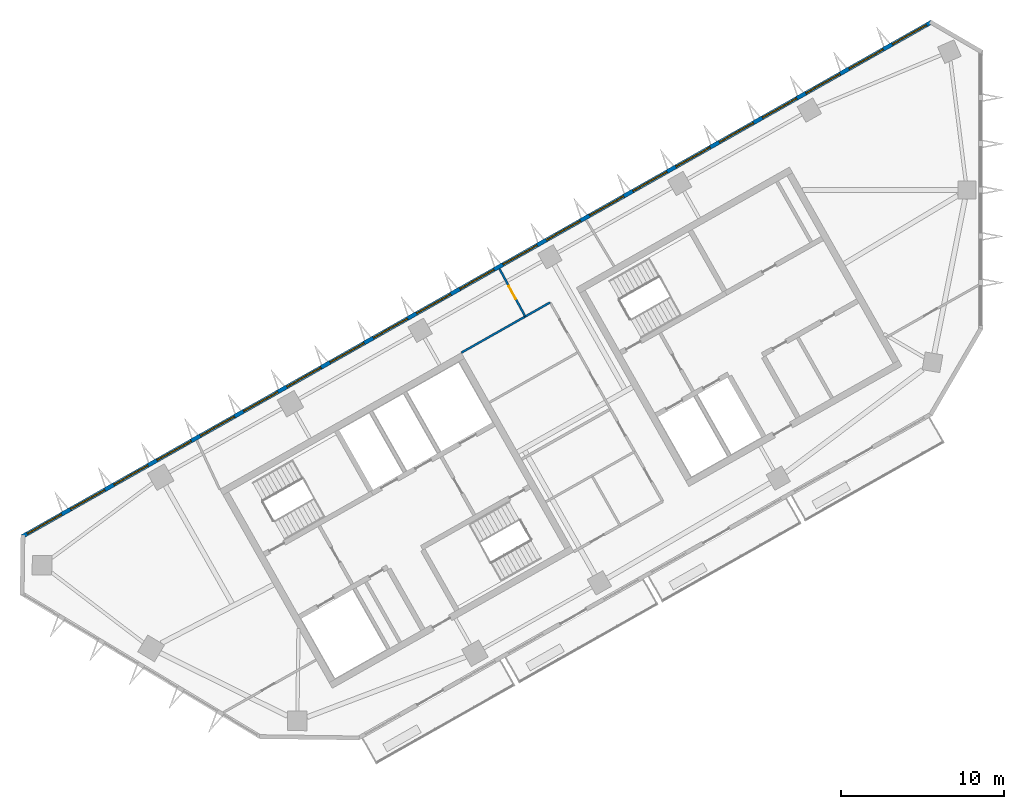
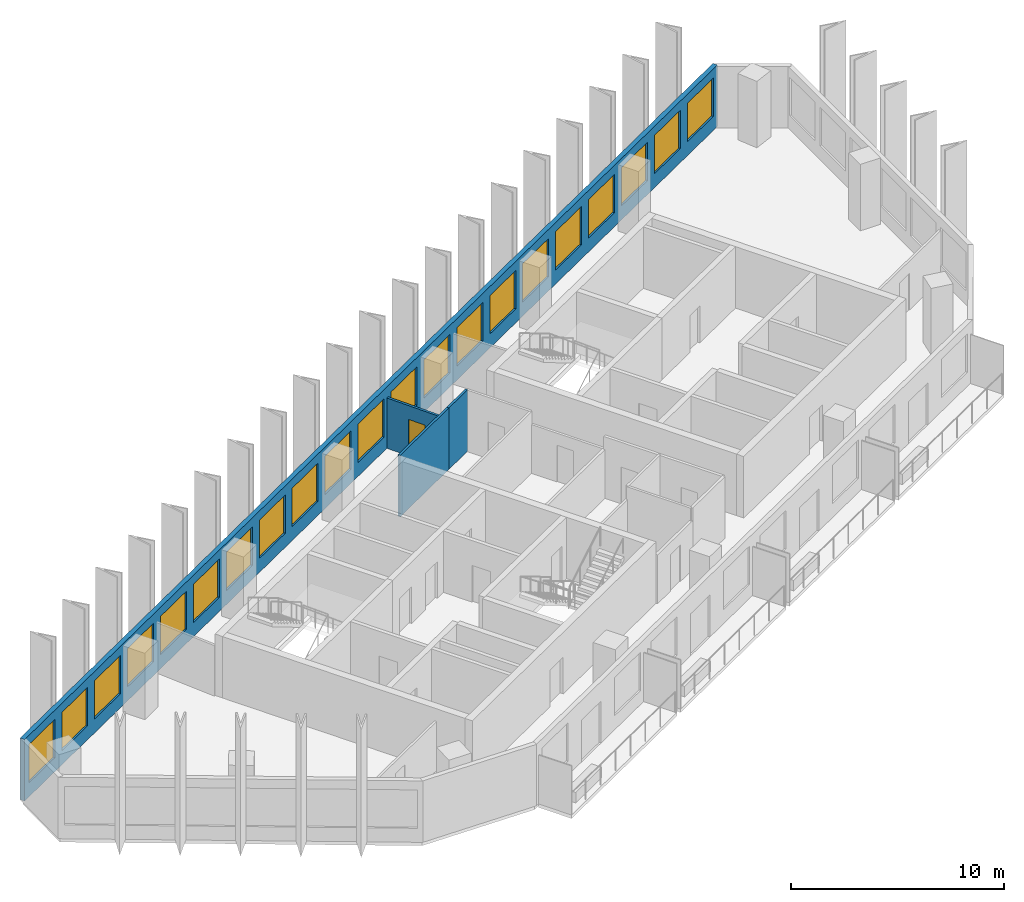
# One storey, part 3 of 8: 21 windows, 4 walls, 1 door, 22 openings.
"""IFC4 building model written with IfcOpenShell, lengths in metres."""

import ifcopenshell
import ifcopenshell.guid

model = None  # the IFC model being written
_history = None  # IfcOwnerHistory: only IFC2X3 demands one
_inside = {}  # id of a spatial element -> (the spatial element, [elements in it])
_under = {}  # id of a project, library or spatial element -> (it, [spatial elements below it])
_declared = {}  # id of a project -> (the project, [libraries it declares])
_typed = {}  # id of a type object -> (the type object, [elements of that type])
_made_of = {}  # id of a material, layer set ... -> (it, [elements and type objects made of it])


def new_model(schema):
    """Start an empty IFC model of exactly this schema.

    Asked for "IFC4X3", IfcOpenShell would pick the latest addendum, in which some entities
    have other attributes; the version numbers below select the first issue.
    IFC2X3 requires an IfcOwnerHistory on every rooted entity: one is made here for all.
    """
    global model, _history
    if schema == "IFC4X3":
        model = ifcopenshell.file(schema_version=(4, 3, 0, 0))
    else:
        model = ifcopenshell.file(schema=schema)
    _inside.clear()
    _under.clear()
    _declared.clear()
    _typed.clear()
    _made_of.clear()
    _history = None
    if model.schema == "IFC2X3":
        org = make("IfcOrganization", Name="unknown")
        user = make(
            "IfcPersonAndOrganization",
            ThePerson=make("IfcPerson", FamilyName="unknown"),
            TheOrganization=org,
        )
        app = make(
            "IfcApplication",
            ApplicationDeveloper=org,
            Version="unknown",
            ApplicationFullName="unknown",
            ApplicationIdentifier="unknown",
        )
        _history = make(
            "IfcOwnerHistory",
            OwningUser=user,
            OwningApplication=app,
            ChangeAction="ADDED",
            CreationDate=0,
        )
    return model


def make(cls, **values):
    """One entity of the class cls with the attributes given. An attribute that is None is left unset."""
    return model.create_entity(
        cls, **{name: value for name, value in values.items() if value is not None}
    )


def rooted(cls, **values):
    """An entity with a GlobalId (a new one), such as an element, a storey or a relation."""
    return make(cls, GlobalId=ifcopenshell.guid.new(), OwnerHistory=_history, **values)


def si_unit(unit_type, name, prefix=None):
    """IfcSIUnit, for example si_unit("LENGTHUNIT", "METRE", prefix="MILLI")."""
    return make("IfcSIUnit", UnitType=unit_type, Prefix=prefix, Name=name)


def assignment(units):
    """IfcUnitAssignment: the units of a project."""
    return None if units is None else make("IfcUnitAssignment", Units=units)


def point(xyz):
    """IfcCartesianPoint."""
    return None if xyz is None else make("IfcCartesianPoint", Coordinates=xyz)


def direction(xyz):
    """IfcDirection."""
    return None if xyz is None else make("IfcDirection", DirectionRatios=xyz)


def frame(location, z_axis=None, x_axis=None):
    """IfcAxis2Placement3D, a coordinate frame: its origin and axes. An axis left out is left unset."""
    return make(
        "IfcAxis2Placement3D",
        Location=point(location),
        Axis=direction(z_axis),
        RefDirection=direction(x_axis),
    )


def frame_2d(location, x_axis=None):
    """IfcAxis2Placement2D, a coordinate frame in the plane: its origin and x axis."""
    return make(
        "IfcAxis2Placement2D", Location=point(location), RefDirection=direction(x_axis)
    )


def origin():
    """The frame at (0, 0, 0) with its axes left unset."""
    return frame((0.0, 0.0, 0.0))


def place(relative_to, where):
    """IfcLocalPlacement: puts the frame where relative to a parent placement (None: the world)."""
    return make(
        "IfcLocalPlacement", PlacementRelTo=relative_to, RelativePlacement=where
    )


def context(
    kind, dimensions, precision=None, world=None, true_north=None, identifier=None
):
    """IfcGeometricRepresentationContext, for example the 3D "Model" context."""
    return make(
        "IfcGeometricRepresentationContext",
        ContextIdentifier=identifier,
        ContextType=kind,
        CoordinateSpaceDimension=dimensions,
        Precision=precision,
        WorldCoordinateSystem=world,
        TrueNorth=true_north,
    )


def subcontext(parent, identifier, kind, view, scale=None):
    """IfcGeometricRepresentationSubContext, for example "Body" below "Model"."""
    return make(
        "IfcGeometricRepresentationSubContext",
        ContextIdentifier=identifier,
        ContextType=kind,
        ParentContext=parent,
        TargetScale=scale,
        TargetView=view,
    )


def project(units=None, contexts=None):
    """IfcProject with its units and contexts."""
    return rooted(
        "IfcProject",
        Name="project",
        RepresentationContexts=contexts,
        UnitsInContext=assignment(units),
    )


def spatial(cls, under=None, at=None, **own):
    """A site, building, storey or space (cls), placed at a placement, below another one or the project."""
    s = rooted(cls, ObjectPlacement=at, **own)
    if under is not None:
        _under.setdefault(under.id(), (under, []))[1].append(s)
    return s


def profile(cls, at=None, kind="AREA", **sizes):
    """A parametric profile (cls). Its sizes go by their IFC names, for example OverallWidth=200.0."""
    return make(cls, ProfileType=kind, Position=at, **sizes)


def rectangle(**sizes):
    """IfcRectangleProfileDef."""
    return profile("IfcRectangleProfileDef", **sizes)


def extrude(swept, where, along, depth):
    """IfcExtrudedAreaSolid: the profile swept, set in the frame where, extruded along a direction by depth."""
    return make(
        "IfcExtrudedAreaSolid",
        SweptArea=swept,
        Position=where,
        ExtrudedDirection=direction(along),
        Depth=depth,
    )


def shape(context_of_items, identifier, shape_type, items):
    """IfcShapeRepresentation: the items that make up one representation, for example the "Body"."""
    return make(
        "IfcShapeRepresentation",
        ContextOfItems=context_of_items,
        RepresentationIdentifier=identifier,
        RepresentationType=shape_type,
        Items=items,
    )


def material(Name=None, Category=None):
    """IfcMaterial."""
    return make("IfcMaterial", Name=Name, Category=Category)


def layer(
    of_material, thickness, ventilated=None, Name=None, Category=None, Priority=None
):
    """IfcMaterialLayer: one layer of a wall or slab, of a material (None: an air gap)."""
    return make(
        "IfcMaterialLayer",
        Material=of_material,
        LayerThickness=thickness,
        IsVentilated=ventilated,
        Name=Name,
        Category=Category,
        Priority=Priority,
    )


def layer_set(layers, Name=None):
    """IfcMaterialLayerSet."""
    return make("IfcMaterialLayerSet", MaterialLayers=layers, LayerSetName=Name)


def made_of(thing, what):
    """Note that an element or type object is made of a material, layer set ...; save() writes the relation."""
    if what is not None:
        _made_of.setdefault(what.id(), (what, []))[1].append(thing)
    return thing


def type_object(cls, material=None, **own):
    """A type object (cls), such as IfcWallType, which elements share."""
    return made_of(rooted(cls, **own), material)


def element(
    cls,
    number,
    at=None,
    inside=None,
    cuts=None,
    type_object=None,
    material=None,
    context=None,
    identifier="Body",
    shape_type=None,
    held_by="IfcProductDefinitionShape",
    body=None,
    shapes=None,
    **own,
):
    """One element of the class cls, such as IfcWall. Its Tag is "e" and its number.

    at: its placement. inside: the storey or other place that contains it. cuts: it is an
    opening in that element (IfcRelVoidsElement). A single representation is given by context,
    identifier, shape_type and body (its items); several are given by shapes. held_by: the class
    of the entity that holds the representations. save() writes the other relations.
    """
    e = rooted(cls, Tag="e%d" % number, ObjectPlacement=at, **own)
    if body is not None:
        shapes = [shape(context, identifier, shape_type, body)]
    if shapes is not None:
        e.Representation = make(held_by, Representations=shapes)
    if inside is not None:
        _inside.setdefault(inside.id(), (inside, []))[1].append(e)
    if cuts is not None:
        rooted(
            "IfcRelVoidsElement", RelatingBuildingElement=cuts, RelatedOpeningElement=e
        )
    if type_object is not None:
        _typed.setdefault(type_object.id(), (type_object, []))[1].append(e)
    return made_of(e, material)


def fill(opening, filler):
    """IfcRelFillsElement: the door or window that sits in an opening."""
    return rooted(
        "IfcRelFillsElement",
        RelatingOpeningElement=opening,
        RelatedBuildingElement=filler,
    )


def aggregate(whole, parts):
    """IfcRelAggregates: a whole, such as a stair, and the parts it consists of."""
    return rooted("IfcRelAggregates", RelatingObject=whole, RelatedObjects=parts)


def save(model, path):
    """Write the relations noted so far, then the file.

    IfcRelAggregates (storeys below a building ...), IfcRelContainedInSpatialStructure (elements
    in a storey), IfcRelDefinesByType, IfcRelAssociatesMaterial and IfcRelDeclares: one each for
    every whole, place, type object, material and project.
    """
    for whole, parts in _under.values():
        aggregate(whole, parts)
    for where, things in _inside.values():
        rooted(
            "IfcRelContainedInSpatialStructure",
            RelatedElements=things,
            RelatingStructure=where,
        )
    for kind, things in _typed.values():
        rooted("IfcRelDefinesByType", RelatedObjects=things, RelatingType=kind)
    for what, things in _made_of.values():
        rooted("IfcRelAssociatesMaterial", RelatedObjects=things, RelatingMaterial=what)
    for by, libraries in _declared.values():
        rooted("IfcRelDeclares", RelatingContext=by, RelatedDefinitions=libraries)
    model.write(path)


model = new_model("IFC4")

# Units and contexts
model_context = context("Model", 3, precision=1e-05, world=origin(), true_north=direction((0.0, 1.0)))
body_context = subcontext(model_context, "Body", "Model", "MODEL_VIEW")
ifc_project = project(units=[si_unit("LENGTHUNIT", "METRE"), si_unit("AREAUNIT", "SQUARE_METRE"), si_unit("VOLUMEUNIT", "CUBIC_METRE"), si_unit("PLANEANGLEUNIT", "RADIAN"), si_unit("MASSUNIT", "GRAM", prefix="KILO")], contexts=[model_context])

# Site, building, storey
site_placement = place(None, origin())
site = spatial("IfcSite", under=ifc_project, at=site_placement, CompositionType="ELEMENT")
building_placement = place(site_placement, origin())
building = spatial("IfcBuilding", under=site, at=building_placement, Name="Binnacle Exchange Tower", CompositionType="ELEMENT")
storey_placement = place(building_placement, frame((0.0, 0.0, 270.300048828125)))
storey = spatial("IfcBuildingStorey", under=building, at=storey_placement, Name="L60", CompositionType="ELEMENT", Elevation=270.300048828125)

# Wall, openings, windows
ifc_material_1 = material(Name="Bronze aluminium cladding", Category="aluminium")
ifc_layer_1 = layer(ifc_material_1, 0.25)
ifc_layer_set_1 = layer_set([ifc_layer_1], Name="External wall - window wall 250")
wall_type_1 = type_object("IfcWallType", Name="External wall - window wall 250", PredefinedType="STANDARD", material=ifc_layer_set_1)
wall_1_placement = place(storey_placement, frame((-58.732177734375, 38.770751953125, 0.0), z_axis=(0.0, 0.0, 1.0), x_axis=(0.870355615581, 0.492423702137, 0.0)))
wall_1 = element("IfcWall", 1, at=wall_1_placement, inside=storey, type_object=wall_type_1, Name="External wall EW-H03 L60", PredefinedType="STANDARD", context=body_context, shape_type="SweptSolid", body=[
    extrude(rectangle(XDim=64.052490234375, YDim=0.25, at=frame_2d((32.0263671875, 0.0))), origin(), (0.0, 0.0, 1.0), 3.52001953125),
])
opening_1_placement = place(wall_1_placement, frame((61.25927734375, 0.0, 0.800048828125)))
opening_1 = element("IfcOpeningElement", 2, at=opening_1_placement, cuts=wall_1, Name="Opening WR2", PredefinedType="OPENING", context=body_context, shape_type="SweptSolid", body=[
    extrude(rectangle(XDim=2.39990234375, YDim=2.199951171875, at=frame_2d((1.199951171875, 1.10009765625))), frame((0.0, 0.135009765625, 0.0), z_axis=(0.0, -1.0, 0.0), x_axis=(1.0, 0.0, 0.0)), (0.0, 0.0, 1.0), 0.27001953125),
])
opening_2_placement = place(wall_1_placement, frame((58.2158203125, 0.0, 0.800048828125)))
opening_2 = element("IfcOpeningElement", 3, at=opening_2_placement, cuts=wall_1, Name="Opening WR2", PredefinedType="OPENING", context=body_context, shape_type="SweptSolid", body=[
    extrude(rectangle(XDim=2.39990234375, YDim=2.199951171875, at=frame_2d((1.199951171875, 1.10009765625))), frame((0.0, 0.135009765625, 0.0), z_axis=(0.0, -1.0, 0.0), x_axis=(1.0, 0.0, 0.0)), (0.0, 0.0, 1.0), 0.27001953125),
])
opening_3_placement = place(wall_1_placement, frame((55.172607421875, 0.0, 0.800048828125)))
opening_3 = element("IfcOpeningElement", 4, at=opening_3_placement, cuts=wall_1, Name="Opening WR2", PredefinedType="OPENING", context=body_context, shape_type="SweptSolid", body=[
    extrude(rectangle(XDim=2.39990234375, YDim=2.199951171875, at=frame_2d((1.199951171875, 1.10009765625))), frame((0.0, 0.135009765625, 0.0), z_axis=(0.0, -1.0, 0.0), x_axis=(1.0, 0.0, 0.0)), (0.0, 0.0, 1.0), 0.27001953125),
])
opening_4_placement = place(wall_1_placement, frame((52.12939453125, 0.0, 0.800048828125)))
opening_4 = element("IfcOpeningElement", 5, at=opening_4_placement, cuts=wall_1, Name="Opening WR2", PredefinedType="OPENING", context=body_context, shape_type="SweptSolid", body=[
    extrude(rectangle(XDim=2.39990234375, YDim=2.199951171875, at=frame_2d((1.199951171875, 1.10009765625))), frame((0.0, 0.135009765625, 0.0), z_axis=(0.0, -1.0, 0.0), x_axis=(1.0, 0.0, 0.0)), (0.0, 0.0, 1.0), 0.27001953125),
])
opening_5_placement = place(wall_1_placement, frame((49.0859375, 0.0, 0.800048828125)))
opening_5 = element("IfcOpeningElement", 6, at=opening_5_placement, cuts=wall_1, Name="Opening WR2", PredefinedType="OPENING", context=body_context, shape_type="SweptSolid", body=[
    extrude(rectangle(XDim=2.39990234375, YDim=2.199951171875, at=frame_2d((1.199951171875, 1.10009765625))), frame((0.0, 0.135009765625, 0.0), z_axis=(0.0, -1.0, 0.0), x_axis=(1.0, 0.0, 0.0)), (0.0, 0.0, 1.0), 0.27001953125),
])
opening_6_placement = place(wall_1_placement, frame((46.042724609375, 0.0, 0.800048828125)))
opening_6 = element("IfcOpeningElement", 7, at=opening_6_placement, cuts=wall_1, Name="Opening WR2", PredefinedType="OPENING", context=body_context, shape_type="SweptSolid", body=[
    extrude(rectangle(XDim=2.39990234375, YDim=2.199951171875, at=frame_2d((1.199951171875, 1.10009765625))), frame((0.0, 0.135009765625, 0.0), z_axis=(0.0, -1.0, 0.0), x_axis=(1.0, 0.0, 0.0)), (0.0, 0.0, 1.0), 0.27001953125),
])
opening_7_placement = place(wall_1_placement, frame((42.99951171875, 0.0, 0.800048828125)))
opening_7 = element("IfcOpeningElement", 8, at=opening_7_placement, cuts=wall_1, Name="Opening WR2", PredefinedType="OPENING", context=body_context, shape_type="SweptSolid", body=[
    extrude(rectangle(XDim=2.39990234375, YDim=2.199951171875, at=frame_2d((1.199951171875, 1.10009765625))), frame((0.0, 0.135009765625, 0.0), z_axis=(0.0, -1.0, 0.0), x_axis=(1.0, 0.0, 0.0)), (0.0, 0.0, 1.0), 0.27001953125),
])
opening_8_placement = place(wall_1_placement, frame((39.956298828125, 0.0, 0.800048828125)))
opening_8 = element("IfcOpeningElement", 9, at=opening_8_placement, cuts=wall_1, Name="Opening WR2", PredefinedType="OPENING", context=body_context, shape_type="SweptSolid", body=[
    extrude(rectangle(XDim=2.39990234375, YDim=2.199951171875, at=frame_2d((1.199951171875, 1.10009765625))), frame((0.0, 0.135009765625, 0.0), z_axis=(0.0, -1.0, 0.0), x_axis=(1.0, 0.0, 0.0)), (0.0, 0.0, 1.0), 0.27001953125),
])
opening_9_placement = place(wall_1_placement, frame((36.912841796875, 0.0, 0.800048828125)))
opening_9 = element("IfcOpeningElement", 10, at=opening_9_placement, cuts=wall_1, Name="Opening WR2", PredefinedType="OPENING", context=body_context, shape_type="SweptSolid", body=[
    extrude(rectangle(XDim=2.39990234375, YDim=2.199951171875, at=frame_2d((1.199951171875, 1.10009765625))), frame((0.0, 0.135009765625, 0.0), z_axis=(0.0, -1.0, 0.0), x_axis=(1.0, 0.0, 0.0)), (0.0, 0.0, 1.0), 0.27001953125),
])
opening_10_placement = place(wall_1_placement, frame((33.86962890625, 0.0, 0.800048828125)))
opening_10 = element("IfcOpeningElement", 11, at=opening_10_placement, cuts=wall_1, Name="Opening WR2", PredefinedType="OPENING", context=body_context, shape_type="SweptSolid", body=[
    extrude(rectangle(XDim=2.39990234375, YDim=2.199951171875, at=frame_2d((1.199951171875, 1.10009765625))), frame((0.0, 0.135009765625, 0.0), z_axis=(0.0, -1.0, 0.0), x_axis=(1.0, 0.0, 0.0)), (0.0, 0.0, 1.0), 0.27001953125),
])
opening_11_placement = place(wall_1_placement, frame((30.826416015625, 0.0, 0.800048828125)))
opening_11 = element("IfcOpeningElement", 12, at=opening_11_placement, cuts=wall_1, Name="Opening WR2", PredefinedType="OPENING", context=body_context, shape_type="SweptSolid", body=[
    extrude(rectangle(XDim=2.39990234375, YDim=2.199951171875, at=frame_2d((1.199951171875, 1.10009765625))), frame((0.0, 0.135009765625, 0.0), z_axis=(0.0, -1.0, 0.0), x_axis=(1.0, 0.0, 0.0)), (0.0, 0.0, 1.0), 0.27001953125),
])
opening_12_placement = place(wall_1_placement, frame((27.782958984375, 0.0, 0.800048828125)))
opening_12 = element("IfcOpeningElement", 13, at=opening_12_placement, cuts=wall_1, Name="Opening WR2", PredefinedType="OPENING", context=body_context, shape_type="SweptSolid", body=[
    extrude(rectangle(XDim=2.39990234375, YDim=2.199951171875, at=frame_2d((1.199951171875, 1.10009765625))), frame((0.0, 0.135009765625, 0.0), z_axis=(0.0, -1.0, 0.0), x_axis=(1.0, 0.0, 0.0)), (0.0, 0.0, 1.0), 0.27001953125),
])
opening_13_placement = place(wall_1_placement, frame((24.73974609375, 0.0, 0.800048828125)))
opening_13 = element("IfcOpeningElement", 14, at=opening_13_placement, cuts=wall_1, Name="Opening WR2", PredefinedType="OPENING", context=body_context, shape_type="SweptSolid", body=[
    extrude(rectangle(XDim=2.39990234375, YDim=2.199951171875, at=frame_2d((1.199951171875, 1.10009765625))), frame((0.0, 0.135009765625, 0.0), z_axis=(0.0, -1.0, 0.0), x_axis=(1.0, 0.0, 0.0)), (0.0, 0.0, 1.0), 0.27001953125),
])
opening_14_placement = place(wall_1_placement, frame((21.6962890625, 0.0, 0.800048828125)))
opening_14 = element("IfcOpeningElement", 15, at=opening_14_placement, cuts=wall_1, Name="Opening WR2", PredefinedType="OPENING", context=body_context, shape_type="SweptSolid", body=[
    extrude(rectangle(XDim=2.39990234375, YDim=2.199951171875, at=frame_2d((1.199951171875, 1.10009765625))), frame((0.0, 0.135009765625, 0.0), z_axis=(0.0, -1.0, 0.0), x_axis=(1.0, 0.0, 0.0)), (0.0, 0.0, 1.0), 0.27001953125),
])
opening_15_placement = place(wall_1_placement, frame((18.6533203125, 0.0, 0.800048828125)))
opening_15 = element("IfcOpeningElement", 16, at=opening_15_placement, cuts=wall_1, Name="Opening WR2", PredefinedType="OPENING", context=body_context, shape_type="SweptSolid", body=[
    extrude(rectangle(XDim=2.39990234375, YDim=2.199951171875, at=frame_2d((1.199951171875, 1.10009765625))), frame((0.0, 0.135009765625, 0.0), z_axis=(0.0, -1.0, 0.0), x_axis=(1.0, 0.0, 0.0)), (0.0, 0.0, 1.0), 0.27001953125),
])
opening_16_placement = place(wall_1_placement, frame((15.60986328125, 0.0, 0.800048828125)))
opening_16 = element("IfcOpeningElement", 17, at=opening_16_placement, cuts=wall_1, Name="Opening WR2", PredefinedType="OPENING", context=body_context, shape_type="SweptSolid", body=[
    extrude(rectangle(XDim=2.39990234375, YDim=2.199951171875, at=frame_2d((1.199951171875, 1.10009765625))), frame((0.0, 0.135009765625, 0.0), z_axis=(0.0, -1.0, 0.0), x_axis=(1.0, 0.0, 0.0)), (0.0, 0.0, 1.0), 0.27001953125),
])
opening_17_placement = place(wall_1_placement, frame((12.566650390625, 0.0, 0.800048828125)))
opening_17 = element("IfcOpeningElement", 18, at=opening_17_placement, cuts=wall_1, Name="Opening WR2", PredefinedType="OPENING", context=body_context, shape_type="SweptSolid", body=[
    extrude(rectangle(XDim=2.39990234375, YDim=2.199951171875, at=frame_2d((1.199951171875, 1.10009765625))), frame((0.0, 0.135009765625, 0.0), z_axis=(0.0, -1.0, 0.0), x_axis=(1.0, 0.0, 0.0)), (0.0, 0.0, 1.0), 0.27001953125),
])
opening_18_placement = place(wall_1_placement, frame((9.523193359375, 0.0, 0.800048828125)))
opening_18 = element("IfcOpeningElement", 19, at=opening_18_placement, cuts=wall_1, Name="Opening WR2", PredefinedType="OPENING", context=body_context, shape_type="SweptSolid", body=[
    extrude(rectangle(XDim=2.39990234375, YDim=2.199951171875, at=frame_2d((1.199951171875, 1.10009765625))), frame((0.0, 0.135009765625, 0.0), z_axis=(0.0, -1.0, 0.0), x_axis=(1.0, 0.0, 0.0)), (0.0, 0.0, 1.0), 0.27001953125),
])
opening_19_placement = place(wall_1_placement, frame((6.47998046875, 0.0, 0.800048828125)))
opening_19 = element("IfcOpeningElement", 20, at=opening_19_placement, cuts=wall_1, Name="Opening WR2", PredefinedType="OPENING", context=body_context, shape_type="SweptSolid", body=[
    extrude(rectangle(XDim=2.39990234375, YDim=2.199951171875, at=frame_2d((1.199951171875, 1.10009765625))), frame((0.0, 0.135009765625, 0.0), z_axis=(0.0, -1.0, 0.0), x_axis=(1.0, 0.0, 0.0)), (0.0, 0.0, 1.0), 0.27001953125),
])
opening_20_placement = place(wall_1_placement, frame((3.436767578125, 0.0, 0.800048828125)))
opening_20 = element("IfcOpeningElement", 21, at=opening_20_placement, cuts=wall_1, Name="Opening WR2", PredefinedType="OPENING", context=body_context, shape_type="SweptSolid", body=[
    extrude(rectangle(XDim=2.39990234375, YDim=2.199951171875, at=frame_2d((1.199951171875, 1.10009765625))), frame((0.0, 0.135009765625, 0.0), z_axis=(0.0, -1.0, 0.0), x_axis=(1.0, 0.0, 0.0)), (0.0, 0.0, 1.0), 0.27001953125),
])
opening_21_placement = place(wall_1_placement, frame((0.393310546875, 0.0, 0.800048828125)))
opening_21 = element("IfcOpeningElement", 22, at=opening_21_placement, cuts=wall_1, Name="Opening WR2", PredefinedType="OPENING", context=body_context, shape_type="SweptSolid", body=[
    extrude(rectangle(XDim=2.39990234375, YDim=2.199951171875, at=frame_2d((1.199951171875, 1.10009765625))), frame((0.0, 0.135009765625, 0.0), z_axis=(0.0, -1.0, 0.0), x_axis=(1.0, 0.0, 0.0)), (0.0, 0.0, 1.0), 0.27001953125),
])
ifc_material_2 = material(Name="Bronze anodised aluminium frame", Category="aluminium")
window_type = type_object("IfcWindowType", Name="WR2 WINDOW 2400x2200", PartitioningType="SINGLE_PANEL", PredefinedType="WINDOW", material=ifc_material_2)
window_1_placement = place(opening_1_placement, origin())
window_1 = element("IfcWindow", 23, at=window_1_placement, inside=storey, type_object=window_type, Name="Window WR2 L60", OverallHeight=2.199951171875, OverallWidth=2.39990234375, PartitioningType="SINGLE_PANEL", PredefinedType="WINDOW", context=body_context, shape_type="SweptSolid", body=[
    extrude(rectangle(XDim=2.39990234375, YDim=2.199951171875, at=frame_2d((1.199951171875, 1.10009765625))), frame((0.0, 0.030029296875, 0.0), z_axis=(0.0, -1.0, 0.0), x_axis=(1.0, 0.0, 0.0)), (0.0, 0.0, 1.0), 0.06005859375),
])
fill(opening_1, window_1)
window_2_placement = place(opening_2_placement, origin())
window_2 = element("IfcWindow", 24, at=window_2_placement, inside=storey, type_object=window_type, Name="Window WR2 L60", OverallHeight=2.199951171875, OverallWidth=2.39990234375, PartitioningType="SINGLE_PANEL", PredefinedType="WINDOW", context=body_context, shape_type="SweptSolid", body=[
    extrude(rectangle(XDim=2.39990234375, YDim=2.199951171875, at=frame_2d((1.199951171875, 1.10009765625))), frame((0.0, 0.030029296875, 0.0), z_axis=(0.0, -1.0, 0.0), x_axis=(1.0, 0.0, 0.0)), (0.0, 0.0, 1.0), 0.06005859375),
])
fill(opening_2, window_2)
window_3_placement = place(opening_3_placement, origin())
window_3 = element("IfcWindow", 25, at=window_3_placement, inside=storey, type_object=window_type, Name="Window WR2 L60", OverallHeight=2.199951171875, OverallWidth=2.39990234375, PartitioningType="SINGLE_PANEL", PredefinedType="WINDOW", context=body_context, shape_type="SweptSolid", body=[
    extrude(rectangle(XDim=2.39990234375, YDim=2.199951171875, at=frame_2d((1.199951171875, 1.10009765625))), frame((0.0, 0.030029296875, 0.0), z_axis=(0.0, -1.0, 0.0), x_axis=(1.0, 0.0, 0.0)), (0.0, 0.0, 1.0), 0.06005859375),
])
fill(opening_3, window_3)
window_4_placement = place(opening_4_placement, origin())
window_4 = element("IfcWindow", 26, at=window_4_placement, inside=storey, type_object=window_type, Name="Window WR2 L60", OverallHeight=2.199951171875, OverallWidth=2.39990234375, PartitioningType="SINGLE_PANEL", PredefinedType="WINDOW", context=body_context, shape_type="SweptSolid", body=[
    extrude(rectangle(XDim=2.39990234375, YDim=2.199951171875, at=frame_2d((1.199951171875, 1.10009765625))), frame((0.0, 0.030029296875, 0.0), z_axis=(0.0, -1.0, 0.0), x_axis=(1.0, 0.0, 0.0)), (0.0, 0.0, 1.0), 0.06005859375),
])
fill(opening_4, window_4)
window_5_placement = place(opening_5_placement, origin())
window_5 = element("IfcWindow", 27, at=window_5_placement, inside=storey, type_object=window_type, Name="Window WR2 L60", OverallHeight=2.199951171875, OverallWidth=2.39990234375, PartitioningType="SINGLE_PANEL", PredefinedType="WINDOW", context=body_context, shape_type="SweptSolid", body=[
    extrude(rectangle(XDim=2.39990234375, YDim=2.199951171875, at=frame_2d((1.199951171875, 1.10009765625))), frame((0.0, 0.030029296875, 0.0), z_axis=(0.0, -1.0, 0.0), x_axis=(1.0, 0.0, 0.0)), (0.0, 0.0, 1.0), 0.06005859375),
])
fill(opening_5, window_5)
window_6_placement = place(opening_6_placement, origin())
window_6 = element("IfcWindow", 28, at=window_6_placement, inside=storey, type_object=window_type, Name="Window WR2 L60", OverallHeight=2.199951171875, OverallWidth=2.39990234375, PartitioningType="SINGLE_PANEL", PredefinedType="WINDOW", context=body_context, shape_type="SweptSolid", body=[
    extrude(rectangle(XDim=2.39990234375, YDim=2.199951171875, at=frame_2d((1.199951171875, 1.10009765625))), frame((0.0, 0.030029296875, 0.0), z_axis=(0.0, -1.0, 0.0), x_axis=(1.0, 0.0, 0.0)), (0.0, 0.0, 1.0), 0.06005859375),
])
fill(opening_6, window_6)
window_7_placement = place(opening_7_placement, origin())
window_7 = element("IfcWindow", 29, at=window_7_placement, inside=storey, type_object=window_type, Name="Window WR2 L60", OverallHeight=2.199951171875, OverallWidth=2.39990234375, PartitioningType="SINGLE_PANEL", PredefinedType="WINDOW", context=body_context, shape_type="SweptSolid", body=[
    extrude(rectangle(XDim=2.39990234375, YDim=2.199951171875, at=frame_2d((1.199951171875, 1.10009765625))), frame((0.0, 0.030029296875, 0.0), z_axis=(0.0, -1.0, 0.0), x_axis=(1.0, 0.0, 0.0)), (0.0, 0.0, 1.0), 0.06005859375),
])
fill(opening_7, window_7)
window_8_placement = place(opening_8_placement, origin())
window_8 = element("IfcWindow", 30, at=window_8_placement, inside=storey, type_object=window_type, Name="Window WR2 L60", OverallHeight=2.199951171875, OverallWidth=2.39990234375, PartitioningType="SINGLE_PANEL", PredefinedType="WINDOW", context=body_context, shape_type="SweptSolid", body=[
    extrude(rectangle(XDim=2.39990234375, YDim=2.199951171875, at=frame_2d((1.199951171875, 1.10009765625))), frame((0.0, 0.030029296875, 0.0), z_axis=(0.0, -1.0, 0.0), x_axis=(1.0, 0.0, 0.0)), (0.0, 0.0, 1.0), 0.06005859375),
])
fill(opening_8, window_8)
window_9_placement = place(opening_9_placement, origin())
window_9 = element("IfcWindow", 31, at=window_9_placement, inside=storey, type_object=window_type, Name="Window WR2 L60", OverallHeight=2.199951171875, OverallWidth=2.39990234375, PartitioningType="SINGLE_PANEL", PredefinedType="WINDOW", context=body_context, shape_type="SweptSolid", body=[
    extrude(rectangle(XDim=2.39990234375, YDim=2.199951171875, at=frame_2d((1.199951171875, 1.10009765625))), frame((0.0, 0.030029296875, 0.0), z_axis=(0.0, -1.0, 0.0), x_axis=(1.0, 0.0, 0.0)), (0.0, 0.0, 1.0), 0.06005859375),
])
fill(opening_9, window_9)
window_10_placement = place(opening_10_placement, origin())
window_10 = element("IfcWindow", 32, at=window_10_placement, inside=storey, type_object=window_type, Name="Window WR2 L60", OverallHeight=2.199951171875, OverallWidth=2.39990234375, PartitioningType="SINGLE_PANEL", PredefinedType="WINDOW", context=body_context, shape_type="SweptSolid", body=[
    extrude(rectangle(XDim=2.39990234375, YDim=2.199951171875, at=frame_2d((1.199951171875, 1.10009765625))), frame((0.0, 0.030029296875, 0.0), z_axis=(0.0, -1.0, 0.0), x_axis=(1.0, 0.0, 0.0)), (0.0, 0.0, 1.0), 0.06005859375),
])
fill(opening_10, window_10)
window_11_placement = place(opening_11_placement, origin())
window_11 = element("IfcWindow", 33, at=window_11_placement, inside=storey, type_object=window_type, Name="Window WR2 L60", OverallHeight=2.199951171875, OverallWidth=2.39990234375, PartitioningType="SINGLE_PANEL", PredefinedType="WINDOW", context=body_context, shape_type="SweptSolid", body=[
    extrude(rectangle(XDim=2.39990234375, YDim=2.199951171875, at=frame_2d((1.199951171875, 1.10009765625))), frame((0.0, 0.030029296875, 0.0), z_axis=(0.0, -1.0, 0.0), x_axis=(1.0, 0.0, 0.0)), (0.0, 0.0, 1.0), 0.06005859375),
])
fill(opening_11, window_11)
window_12_placement = place(opening_12_placement, origin())
window_12 = element("IfcWindow", 34, at=window_12_placement, inside=storey, type_object=window_type, Name="Window WR2 L60", OverallHeight=2.199951171875, OverallWidth=2.39990234375, PartitioningType="SINGLE_PANEL", PredefinedType="WINDOW", context=body_context, shape_type="SweptSolid", body=[
    extrude(rectangle(XDim=2.39990234375, YDim=2.199951171875, at=frame_2d((1.199951171875, 1.10009765625))), frame((0.0, 0.030029296875, 0.0), z_axis=(0.0, -1.0, 0.0), x_axis=(1.0, 0.0, 0.0)), (0.0, 0.0, 1.0), 0.06005859375),
])
fill(opening_12, window_12)
window_13_placement = place(opening_13_placement, origin())
window_13 = element("IfcWindow", 35, at=window_13_placement, inside=storey, type_object=window_type, Name="Window WR2 L60", OverallHeight=2.199951171875, OverallWidth=2.39990234375, PartitioningType="SINGLE_PANEL", PredefinedType="WINDOW", context=body_context, shape_type="SweptSolid", body=[
    extrude(rectangle(XDim=2.39990234375, YDim=2.199951171875, at=frame_2d((1.199951171875, 1.10009765625))), frame((0.0, 0.030029296875, 0.0), z_axis=(0.0, -1.0, 0.0), x_axis=(1.0, 0.0, 0.0)), (0.0, 0.0, 1.0), 0.06005859375),
])
fill(opening_13, window_13)
window_14_placement = place(opening_14_placement, origin())
window_14 = element("IfcWindow", 36, at=window_14_placement, inside=storey, type_object=window_type, Name="Window WR2 L60", OverallHeight=2.199951171875, OverallWidth=2.39990234375, PartitioningType="SINGLE_PANEL", PredefinedType="WINDOW", context=body_context, shape_type="SweptSolid", body=[
    extrude(rectangle(XDim=2.39990234375, YDim=2.199951171875, at=frame_2d((1.199951171875, 1.10009765625))), frame((0.0, 0.030029296875, 0.0), z_axis=(0.0, -1.0, 0.0), x_axis=(1.0, 0.0, 0.0)), (0.0, 0.0, 1.0), 0.06005859375),
])
fill(opening_14, window_14)
window_15_placement = place(opening_15_placement, origin())
window_15 = element("IfcWindow", 37, at=window_15_placement, inside=storey, type_object=window_type, Name="Window WR2 L60", OverallHeight=2.199951171875, OverallWidth=2.39990234375, PartitioningType="SINGLE_PANEL", PredefinedType="WINDOW", context=body_context, shape_type="SweptSolid", body=[
    extrude(rectangle(XDim=2.39990234375, YDim=2.199951171875, at=frame_2d((1.199951171875, 1.10009765625))), frame((0.0, 0.030029296875, 0.0), z_axis=(0.0, -1.0, 0.0), x_axis=(1.0, 0.0, 0.0)), (0.0, 0.0, 1.0), 0.06005859375),
])
fill(opening_15, window_15)
window_16_placement = place(opening_16_placement, origin())
window_16 = element("IfcWindow", 38, at=window_16_placement, inside=storey, type_object=window_type, Name="Window WR2 L60", OverallHeight=2.199951171875, OverallWidth=2.39990234375, PartitioningType="SINGLE_PANEL", PredefinedType="WINDOW", context=body_context, shape_type="SweptSolid", body=[
    extrude(rectangle(XDim=2.39990234375, YDim=2.199951171875, at=frame_2d((1.199951171875, 1.10009765625))), frame((0.0, 0.030029296875, 0.0), z_axis=(0.0, -1.0, 0.0), x_axis=(1.0, 0.0, 0.0)), (0.0, 0.0, 1.0), 0.06005859375),
])
fill(opening_16, window_16)
window_17_placement = place(opening_17_placement, origin())
window_17 = element("IfcWindow", 39, at=window_17_placement, inside=storey, type_object=window_type, Name="Window WR2 L60", OverallHeight=2.199951171875, OverallWidth=2.39990234375, PartitioningType="SINGLE_PANEL", PredefinedType="WINDOW", context=body_context, shape_type="SweptSolid", body=[
    extrude(rectangle(XDim=2.39990234375, YDim=2.199951171875, at=frame_2d((1.199951171875, 1.10009765625))), frame((0.0, 0.030029296875, 0.0), z_axis=(0.0, -1.0, 0.0), x_axis=(1.0, 0.0, 0.0)), (0.0, 0.0, 1.0), 0.06005859375),
])
fill(opening_17, window_17)
window_18_placement = place(opening_18_placement, origin())
window_18 = element("IfcWindow", 40, at=window_18_placement, inside=storey, type_object=window_type, Name="Window WR2 L60", OverallHeight=2.199951171875, OverallWidth=2.39990234375, PartitioningType="SINGLE_PANEL", PredefinedType="WINDOW", context=body_context, shape_type="SweptSolid", body=[
    extrude(rectangle(XDim=2.39990234375, YDim=2.199951171875, at=frame_2d((1.199951171875, 1.10009765625))), frame((0.0, 0.030029296875, 0.0), z_axis=(0.0, -1.0, 0.0), x_axis=(1.0, 0.0, 0.0)), (0.0, 0.0, 1.0), 0.06005859375),
])
fill(opening_18, window_18)
window_19_placement = place(opening_19_placement, origin())
window_19 = element("IfcWindow", 41, at=window_19_placement, inside=storey, type_object=window_type, Name="Window WR2 L60", OverallHeight=2.199951171875, OverallWidth=2.39990234375, PartitioningType="SINGLE_PANEL", PredefinedType="WINDOW", context=body_context, shape_type="SweptSolid", body=[
    extrude(rectangle(XDim=2.39990234375, YDim=2.199951171875, at=frame_2d((1.199951171875, 1.10009765625))), frame((0.0, 0.030029296875, 0.0), z_axis=(0.0, -1.0, 0.0), x_axis=(1.0, 0.0, 0.0)), (0.0, 0.0, 1.0), 0.06005859375),
])
fill(opening_19, window_19)
window_20_placement = place(opening_20_placement, origin())
window_20 = element("IfcWindow", 42, at=window_20_placement, inside=storey, type_object=window_type, Name="Window WR2 L60", OverallHeight=2.199951171875, OverallWidth=2.39990234375, PartitioningType="SINGLE_PANEL", PredefinedType="WINDOW", context=body_context, shape_type="SweptSolid", body=[
    extrude(rectangle(XDim=2.39990234375, YDim=2.199951171875, at=frame_2d((1.199951171875, 1.10009765625))), frame((0.0, 0.030029296875, 0.0), z_axis=(0.0, -1.0, 0.0), x_axis=(1.0, 0.0, 0.0)), (0.0, 0.0, 1.0), 0.06005859375),
])
fill(opening_20, window_20)
window_21_placement = place(opening_21_placement, origin())
window_21 = element("IfcWindow", 43, at=window_21_placement, inside=storey, type_object=window_type, Name="Window WR2 L60", OverallHeight=2.199951171875, OverallWidth=2.39990234375, PartitioningType="SINGLE_PANEL", PredefinedType="WINDOW", context=body_context, shape_type="SweptSolid", body=[
    extrude(rectangle(XDim=2.39990234375, YDim=2.199951171875, at=frame_2d((1.199951171875, 1.10009765625))), frame((0.0, 0.030029296875, 0.0), z_axis=(0.0, -1.0, 0.0), x_axis=(1.0, 0.0, 0.0)), (0.0, 0.0, 1.0), 0.06005859375),
])
fill(opening_21, window_21)

# Wall
ifc_material_3 = material(Name="Gypsum partition")
ifc_layer_2 = layer(ifc_material_3, 0.125)
ifc_layer_set_2 = layer_set([ifc_layer_2], Name="Partition 125")
wall_type_2 = type_object("IfcWallType", Name="Partition 125", PredefinedType="PARTITIONING", material=ifc_layer_set_2)
wall_2_placement = place(storey_placement, frame((-31.81201171875, 50.0439453125, 0.0), z_axis=(0.0, 0.0, 1.0), x_axis=(0.870309075431, 0.492505952474, 0.0)))
element("IfcWall", 44, at=wall_2_placement, inside=storey, type_object=wall_type_2, Name="Partition W03", PredefinedType="PARTITIONING", context=body_context, shape_type="SweptSolid", body=[
    extrude(rectangle(XDim=4.49951171875, YDim=0.125, at=frame_2d((2.249755859375, 0.0))), origin(), (0.0, 0.0, 1.0), 3.52001953125),
])

# Wall, opening, door
wall_3_placement = place(storey_placement, frame((-29.47412109375, 55.180908203125, 0.0), z_axis=(0.0, 0.0, 1.0), x_axis=(0.475344759365, -0.879799613403, 0.0)))
wall_3 = element("IfcWall", 45, at=wall_3_placement, inside=storey, type_object=wall_type_2, Name="Partition W05", PredefinedType="PARTITIONING", context=body_context, shape_type="SweptSolid", body=[
    extrude(rectangle(XDim=3.320068359375, YDim=0.125, at=frame_2d((1.66015625, 0.0))), origin(), (0.0, 0.0, 1.0), 2.887939453125),
])
opening_22_placement = place(wall_3_placement, frame((1.199951171875, 0.0, 0.0)))
opening_22 = element("IfcOpeningElement", 46, at=opening_22_placement, cuts=wall_3, Name="Opening DL58-02", PredefinedType="OPENING", context=body_context, shape_type="SweptSolid", body=[
    extrude(rectangle(XDim=0.89990234375, YDim=2.10009765625, at=frame_2d((0.449951171875, 1.050048828125))), frame((0.0, 0.072509765625, 0.0), z_axis=(0.0, -1.0, 0.0), x_axis=(1.0, 0.0, 0.0)), (0.0, 0.0, 1.0), 0.14501953125),
])
ifc_material_4 = material(Name="Timber door leaf", Category="wood")
door_type = type_object("IfcDoorType", Name="Door 900", OperationType="NOTDEFINED", PredefinedType="DOOR", material=ifc_material_4)
door_placement = place(opening_22_placement, frame((0.89990234375, 0.0, 0.0), z_axis=(0.0, 0.0, 1.0), x_axis=(-1.0, 0.0, 0.0)))
door = element("IfcDoor", 47, at=door_placement, inside=storey, type_object=door_type, Name="Door DL58-02", OperationType="SINGLE_SWING_RIGHT", OverallHeight=2.10009765625, OverallWidth=0.89990234375, PredefinedType="DOOR", context=body_context, shape_type="SweptSolid", body=[
    extrude(rectangle(XDim=0.89990234375, YDim=2.10009765625, at=frame_2d((0.449951171875, 1.050048828125))), frame((0.0, 0.02490234375, 0.0), z_axis=(0.0, -1.0, 0.0), x_axis=(1.0, 0.0, 0.0)), (0.0, 0.0, 1.0), 0.050048828125),
])
fill(opening_22, door)

# Wall
wall_4_placement = place(storey_placement, frame((-27.89599609375, 52.260009765625, 0.0), z_axis=(0.0, 0.0, 1.0), x_axis=(0.870253469837, 0.492604200384, 0.0)))
element("IfcWall", 48, at=wall_4_placement, inside=storey, type_object=wall_type_2, Name="Partition W07", PredefinedType="PARTITIONING", context=body_context, shape_type="SweptSolid", body=[
    extrude(rectangle(XDim=1.75, YDim=0.125, at=frame_2d((0.875, 0.0))), origin(), (0.0, 0.0, 1.0), 3.52001953125),
])

save(model, "model.ifc")
